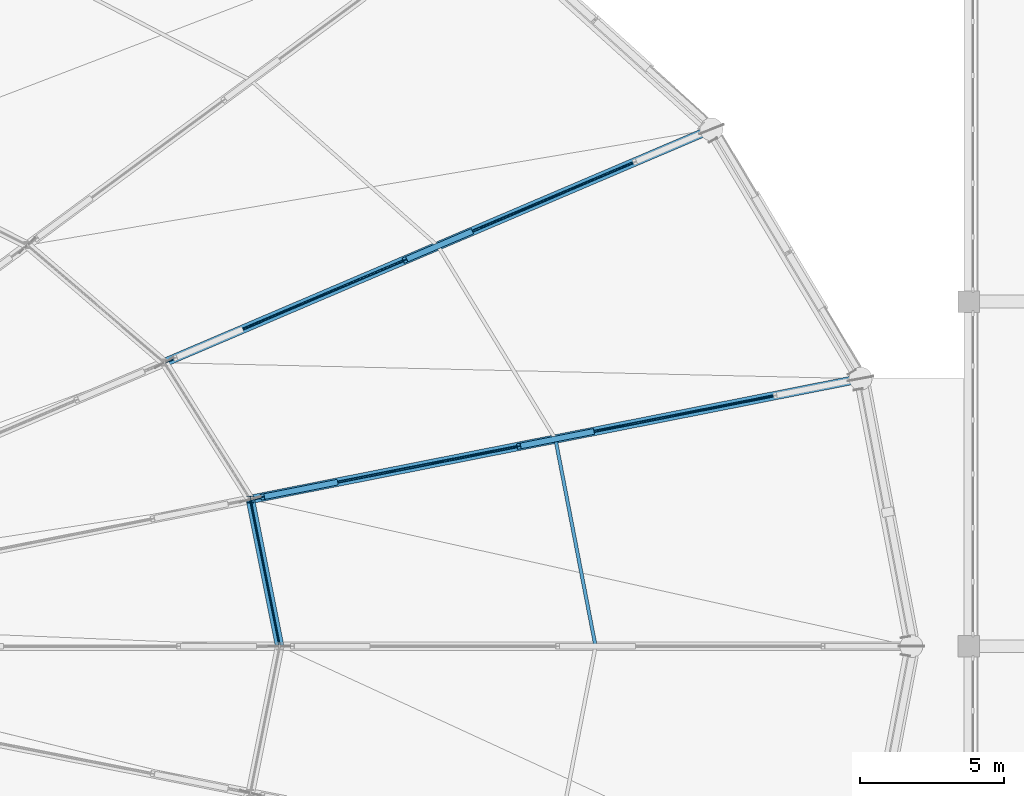
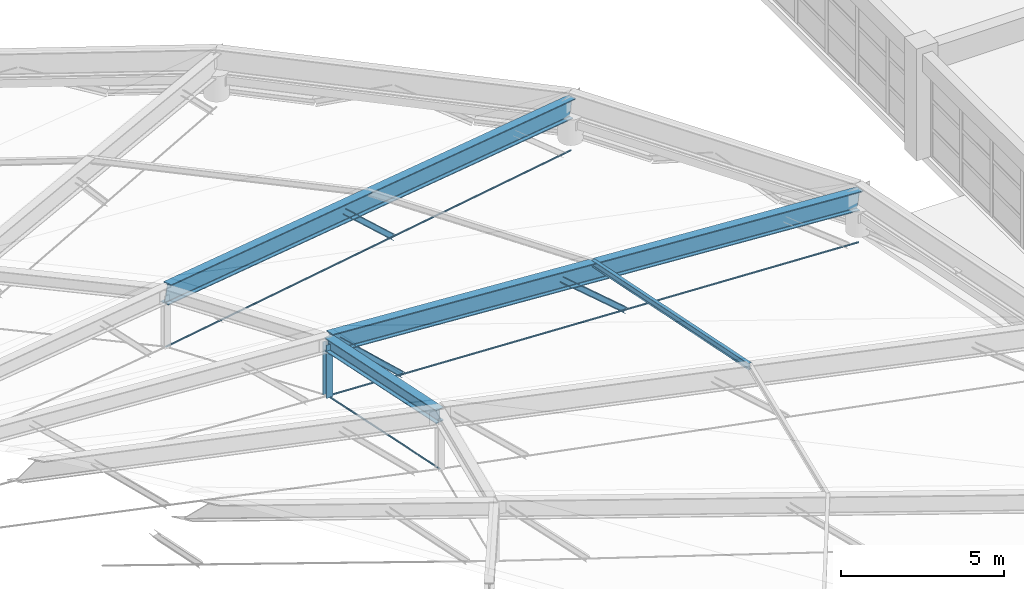
# One storey, part 26 of 83: 8 members, 3 beams.
"""IFC4 building model written with IfcOpenShell, lengths in metres."""

from ifc_helpers import new_model, si_unit, direction, frame, origin, origin_2d, place, context, subcontext, project, spatial, circle, i_section, extrude, material, material_profile, profile_set, type_object, element, save


model = new_model("IFC4")

# Units and contexts
model_context = context("Model", 3, precision=1e-05, world=origin(), true_north=direction((0.0, 1.0)))
body_context = subcontext(model_context, "Body", "Model", "MODEL_VIEW")
ifc_project = project(units=[si_unit("LENGTHUNIT", "METRE"), si_unit("AREAUNIT", "SQUARE_METRE"), si_unit("VOLUMEUNIT", "CUBIC_METRE"), si_unit("PLANEANGLEUNIT", "RADIAN"), si_unit("MASSUNIT", "GRAM", prefix="KILO")], contexts=[model_context])

# Site, building, storey
site_placement = place(None, origin())
site = spatial("IfcSite", under=ifc_project, at=site_placement, CompositionType="ELEMENT")
building_placement = place(site_placement, origin())
building = spatial("IfcBuilding", under=site, at=building_placement, Name="Kivolera Central Railway Station", CompositionType="ELEMENT")
storey_placement = place(building_placement, frame((0.0, 0.0, 14.39990234375)))
storey = spatial("IfcBuildingStorey", under=building, at=storey_placement, Name="L03", CompositionType="ELEMENT", Elevation=14.39990234375)

# Beams
ifc_material_1 = material(Name="Steel S355", Category="steel")
ifc_material_profile_1 = material_profile(ifc_material_1, i_section(OverallWidth=0.300048828125, OverallDepth=0.699951171875, WebThickness=0.01708984375, FlangeThickness=0.031982421875, FilletRadius=0.027099609375, at=origin_2d()), Name="HEB 700")
ifc_profile_set_1 = profile_set([ifc_material_profile_1], Name="Steel S355")
beam_type_1 = type_object("IfcBeamType", Name="BM-DRB-HEB700", PredefinedType="BEAM", material=ifc_profile_set_1)
beam_1_placement = place(storey_placement, frame((114.22802734375, 99.31689453125, 1.18017578125), z_axis=(-0.959583816492, -0.189877206703, 0.207715058439), x_axis=(0.194110886341, -0.980979593979, 0.0)))
element("IfcBeam", 1, at=beam_1_placement, inside=storey, type_object=beam_type_1, Name="Oval Dome Radial Arch Rib Outer Segment DRB1-02", PredefinedType="BEAM", context=body_context, shape_type="SweptSolid", body=[
    extrude(i_section(OverallWidth=0.300048828125, OverallDepth=0.699951171875, WebThickness=0.01708984375, FlangeThickness=0.031982421875, FilletRadius=0.027099609375, at=origin_2d()), origin(), (0.0, 0.0, 1.0), 22.14501953125),
])
beam_2_placement = place(storey_placement, frame((109.032958984375, 108.0, 1.18017578125), z_axis=(-0.897967287965, -0.382951053263, 0.216802307528), x_axis=(0.392281255326, -0.919845322171, 0.0)))
element("IfcBeam", 2, at=beam_2_placement, inside=storey, type_object=beam_type_1, Name="Oval Dome Radial Arch Rib Outer Segment DRB1-03", PredefinedType="BEAM", context=body_context, shape_type="SweptSolid", body=[
    extrude(i_section(OverallWidth=0.300048828125, OverallDepth=0.699951171875, WebThickness=0.01708984375, FlangeThickness=0.031982421875, FilletRadius=0.027099609375, at=origin_2d()), origin(), (0.0, 0.0, 1.0), 21.216796875),
])
ifc_material_profile_2 = material_profile(ifc_material_1, i_section(OverallWidth=0.300048828125, OverallDepth=0.5, WebThickness=0.014404296875, FlangeThickness=0.028076171875, FilletRadius=0.027099609375, at=origin_2d()), Name="HEB 500")
ifc_profile_set_2 = profile_set([ifc_material_profile_2], Name="Steel S355")
beam_type_2 = type_object("IfcBeamType", Name="BM-HRG-HEB500", PredefinedType="BEAM", material=ifc_profile_set_2)
beam_3_placement = place(storey_placement, frame((94.0, 90.0, 5.780029296875), z_axis=(-0.196035080602, 0.980596883114, 0.0), x_axis=(-0.980596883114, -0.196035080602, 0.0)))
element("IfcBeam", 3, at=beam_3_placement, inside=storey, type_object=beam_type_2, Name="Oval Dome Outer Hoop Ring Beam HRG1-01", PredefinedType="BEAM", context=body_context, shape_type="SweptSolid", body=[
    extrude(i_section(OverallWidth=0.300048828125, OverallDepth=0.5, WebThickness=0.014404296875, FlangeThickness=0.028076171875, FilletRadius=0.027099609375, at=origin_2d()), origin(), (0.0, 0.0, 1.0), 5.213134765625),
])

# Members
ifc_material_2 = material(Name="Spiral strand steel S460", Category="steel")
ifc_material_profile_3 = material_profile(ifc_material_2, circle(Radius=0.02392578125, at=origin_2d()), Name="CABLE D48")
ifc_profile_set_3 = profile_set([ifc_material_profile_3], Name="Spiral strand steel S460")
member_type_1 = type_object("IfcMemberType", Name="MEM-CABLE-D48", PredefinedType="USERDEFINED", material=ifc_profile_set_3)
member_1_placement = place(storey_placement, frame((94.0, 90.0, 3.780029296875), z_axis=(-0.196035080602, 0.980596883114, 0.0), x_axis=(-0.980596883114, -0.196035080602, 0.0)))
element("IfcMember", 4, at=member_1_placement, inside=storey, type_object=member_type_1, Name="Dome Hoop Tension Cable HC1-01", ObjectType="TENSION_CABLE", PredefinedType="USERDEFINED", context=body_context, shape_type="SweptSolid", body=[
    extrude(circle(Radius=0.02392578125, at=origin_2d()), origin(), (0.0, 0.0, 1.0), 5.213134765625),
])
ifc_material_profile_4 = material_profile(ifc_material_2, circle(Radius=0.031982421875, at=origin_2d()), Name="CABLE D64")
ifc_profile_set_4 = profile_set([ifc_material_profile_4], Name="Spiral strand steel S460")
member_type_2 = type_object("IfcMemberType", Name="MEM-CABLE-D64", PredefinedType="USERDEFINED", material=ifc_profile_set_4)
member_2_placement = place(storey_placement, frame((114.22802734375, 99.31689453125, -0.449951171875), z_axis=(-0.962795124398, -0.190512642779, 0.191651979841), x_axis=(0.194110886341, -0.980979593979, 0.0)))
element("IfcMember", 5, at=member_2_placement, inside=storey, type_object=member_type_2, Name="Dome Radial Spiral-Strand Tension Cable RC1-02", ObjectType="TENSION_CABLE", PredefinedType="USERDEFINED", context=body_context, shape_type="SweptSolid", body=[
    extrude(circle(Radius=0.031982421875, at=origin_2d()), origin(), (0.0, 0.0, 1.0), 22.071044921875),
])
member_3_placement = place(storey_placement, frame((109.032958984375, 108.0, -0.449951171875), z_axis=(-0.901242554001, -0.384347837528, 0.200096473347), x_axis=(0.392281255326, -0.919845322171, 0.0)))
element("IfcMember", 6, at=member_3_placement, inside=storey, type_object=member_type_2, Name="Dome Radial Spiral-Strand Tension Cable RC1-03", ObjectType="TENSION_CABLE", PredefinedType="USERDEFINED", context=body_context, shape_type="SweptSolid", body=[
    extrude(circle(Radius=0.031982421875, at=origin_2d()), origin(), (0.0, 0.0, 1.0), 21.1396484375),
])
ifc_material_profile_5 = material_profile(ifc_material_1, i_section(OverallWidth=0.1201171875, OverallDepth=0.239990234375, WebThickness=0.006103515625, FlangeThickness=0.009765625, FilletRadius=0.014892578125, at=origin_2d()), Name="IPE 240")
ifc_profile_set_5 = profile_set([ifc_material_profile_5], Name="Steel S355")
member_type_3 = type_object("IfcMemberType", Name="MEM-PUR-IPE240", PredefinedType="PURLIN", material=ifc_profile_set_5)
member_4_placement = place(storey_placement, frame((105.0, 90.0, 3.775146484375), z_axis=(-0.19011281598, 0.981762250853, 0.0), x_axis=(-0.981762250853, -0.19011281598, 0.0)))
element("IfcMember", 7, at=member_4_placement, inside=storey, type_object=member_type_3, Name="Dome Outer Hoop Purlin DPUR1-01", PredefinedType="PURLIN", context=body_context, shape_type="SweptSolid", body=[
    extrude(i_section(OverallWidth=0.1201171875, OverallDepth=0.239990234375, WebThickness=0.006103515625, FlangeThickness=0.009765625, FilletRadius=0.014892578125, at=origin_2d()), origin(), (0.0, 0.0, 1.0), 7.34814453125),
])
ifc_material_profile_6 = material_profile(ifc_material_1, i_section(OverallWidth=0.239990234375, OverallDepth=0.22998046875, WebThickness=0.007568359375, FlangeThickness=0.011962890625, FilletRadius=0.02099609375, at=origin_2d()), Name="HEA 240")
ifc_profile_set_6 = profile_set([ifc_material_profile_6], Name="Steel S355")
member_type_4 = type_object("IfcMemberType", Name="MEM-RAF-HEA240", PredefinedType="STRUT", material=ifc_profile_set_6)
member_5_placement = place(storey_placement, frame((92.97802734375, 95.112060546875, 3.780029296875), z_axis=(0.0, 0.0, 1.0), x_axis=(1.0, 0.0, 0.0)))
element("IfcMember", 8, at=member_5_placement, inside=storey, type_object=member_type_4, Name="Dome Ring Spreader Post DP1-02", PredefinedType="STRUT", context=body_context, shape_type="SweptSolid", body=[
    extrude(i_section(OverallWidth=0.239990234375, OverallDepth=0.22998046875, WebThickness=0.007568359375, FlangeThickness=0.011962890625, FilletRadius=0.02099609375, at=origin_2d()), origin(), (0.0, 0.0, 1.0), 2.0),
])
ifc_material_profile_7 = material_profile(ifc_material_1, i_section(OverallWidth=0.199951171875, OverallDepth=0.199951171875, WebThickness=0.009033203125, FlangeThickness=0.014892578125, FilletRadius=0.01806640625, at=origin_2d()), Name="HEB 200")
ifc_profile_set_7 = profile_set([ifc_material_profile_7], Name="Steel S355")
member_type_5 = type_object("IfcMemberType", Name="MEM-RAF-HEB200", PredefinedType="RAFTER", material=ifc_profile_set_7)
member_6_placement = place(storey_placement, frame((104.8779296875, 97.467041015625, 1.4111328125), z_axis=(-0.728383545201, -0.144282006225, 0.669806026966), x_axis=(0.194309748396, -0.980940223295, 0.0)))
element("IfcMember", 9, at=member_6_placement, inside=storey, type_object=member_type_5, Name="Dome Radial Truss Raking Web DWEB1-02.2", PredefinedType="RAFTER", context=body_context, shape_type="SweptSolid", body=[
    extrude(i_section(OverallWidth=0.199951171875, OverallDepth=0.199951171875, WebThickness=0.009033203125, FlangeThickness=0.014892578125, FilletRadius=0.01806640625, at=origin_2d()), origin(), (0.0, 0.0, 1.0), 3.5009765625),
])
member_7_placement = place(storey_placement, frame((95.952880859375, 95.700927734375, 3.18798828125), z_axis=(-0.707014279237, -0.139994784514, 0.69320434885), x_axis=(0.194237271677, -0.980954577079, 0.0)))
element("IfcMember", 10, at=member_7_placement, inside=storey, type_object=member_type_5, Name="Dome Radial Truss Raking Web DWEB1-02.3", PredefinedType="RAFTER", context=body_context, shape_type="SweptSolid", body=[
    extrude(i_section(OverallWidth=0.199951171875, OverallDepth=0.199951171875, WebThickness=0.009033203125, FlangeThickness=0.014892578125, FilletRadius=0.01806640625, at=origin_2d()), origin(), (0.0, 0.0, 1.0), 3.6064453125),
])
member_8_placement = place(storey_placement, frame((100.64990234375, 104.425048828125, 1.4111328125), z_axis=(-0.669001075137, -0.285377581341, 0.686292355729), x_axis=(0.392365547728, -0.9198093699, 0.0)))
element("IfcMember", 11, at=member_8_placement, inside=storey, type_object=member_type_5, Name="Dome Radial Truss Raking Web DWEB1-03.2", PredefinedType="RAFTER", context=body_context, shape_type="SweptSolid", body=[
    extrude(i_section(OverallWidth=0.199951171875, OverallDepth=0.199951171875, WebThickness=0.009033203125, FlangeThickness=0.014892578125, FilletRadius=0.01806640625, at=origin_2d()), origin(), (0.0, 0.0, 1.0), 3.416748046875),
])

save(model, "model.ifc")
